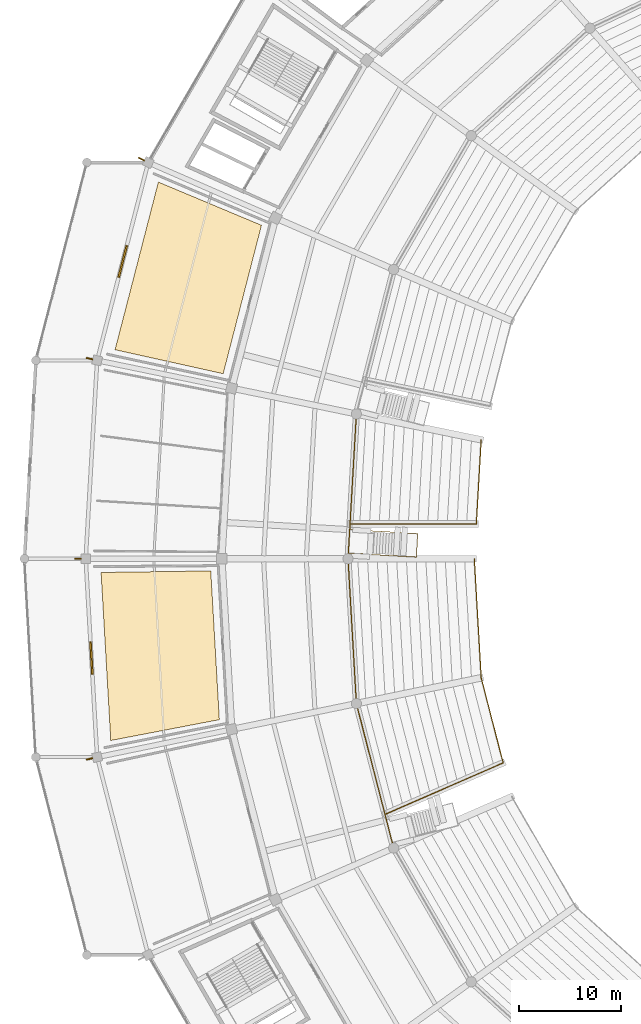
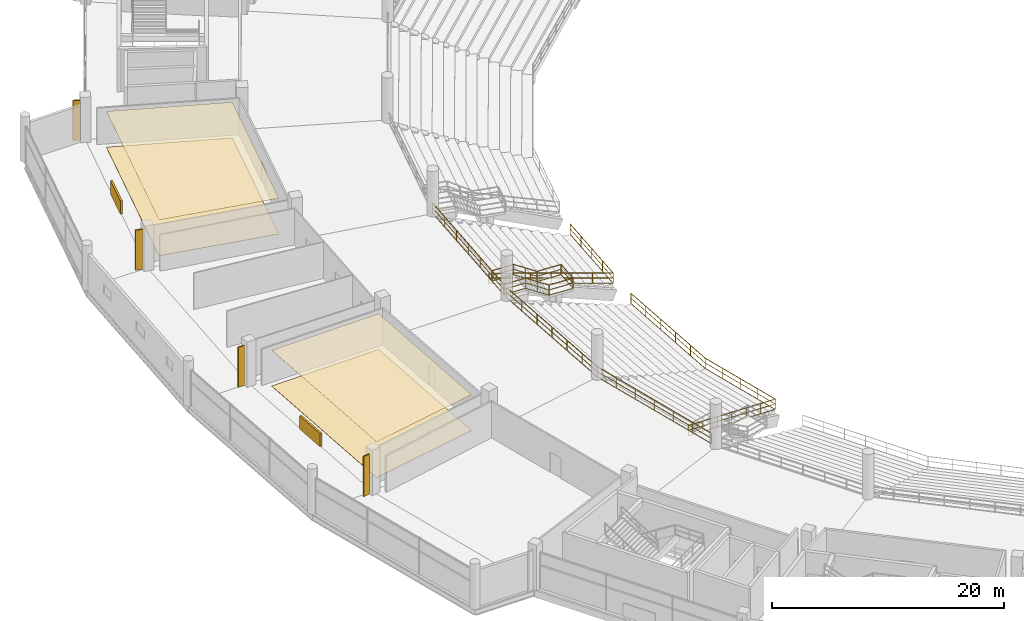
# One storey, part 146 of 156: 9 railings, 6 shading devices, 4 coverings.
"""IFC4 building model written with IfcOpenShell, lengths in metres."""

import ifcopenshell
import ifcopenshell.guid

model = None  # the IFC model being written
_history = None  # IfcOwnerHistory: only IFC2X3 demands one
_inside = {}  # id of a spatial element -> (the spatial element, [elements in it])
_under = {}  # id of a project, library or spatial element -> (it, [spatial elements below it])
_declared = {}  # id of a project -> (the project, [libraries it declares])
_typed = {}  # id of a type object -> (the type object, [elements of that type])
_made_of = {}  # id of a material, layer set ... -> (it, [elements and type objects made of it])


def new_model(schema):
    """Start an empty IFC model of exactly this schema.

    Asked for "IFC4X3", IfcOpenShell would pick the latest addendum, in which some entities
    have other attributes; the version numbers below select the first issue.
    IFC2X3 requires an IfcOwnerHistory on every rooted entity: one is made here for all.
    """
    global model, _history
    if schema == "IFC4X3":
        model = ifcopenshell.file(schema_version=(4, 3, 0, 0))
    else:
        model = ifcopenshell.file(schema=schema)
    _inside.clear()
    _under.clear()
    _declared.clear()
    _typed.clear()
    _made_of.clear()
    _history = None
    if model.schema == "IFC2X3":
        org = make("IfcOrganization", Name="unknown")
        user = make(
            "IfcPersonAndOrganization",
            ThePerson=make("IfcPerson", FamilyName="unknown"),
            TheOrganization=org,
        )
        app = make(
            "IfcApplication",
            ApplicationDeveloper=org,
            Version="unknown",
            ApplicationFullName="unknown",
            ApplicationIdentifier="unknown",
        )
        _history = make(
            "IfcOwnerHistory",
            OwningUser=user,
            OwningApplication=app,
            ChangeAction="ADDED",
            CreationDate=0,
        )
    return model


def make(cls, **values):
    """One entity of the class cls with the attributes given. An attribute that is None is left unset."""
    return model.create_entity(
        cls, **{name: value for name, value in values.items() if value is not None}
    )


def rooted(cls, **values):
    """An entity with a GlobalId (a new one), such as an element, a storey or a relation."""
    return make(cls, GlobalId=ifcopenshell.guid.new(), OwnerHistory=_history, **values)


def si_unit(unit_type, name, prefix=None):
    """IfcSIUnit, for example si_unit("LENGTHUNIT", "METRE", prefix="MILLI")."""
    return make("IfcSIUnit", UnitType=unit_type, Prefix=prefix, Name=name)


def assignment(units):
    """IfcUnitAssignment: the units of a project."""
    return None if units is None else make("IfcUnitAssignment", Units=units)


def point(xyz):
    """IfcCartesianPoint."""
    return None if xyz is None else make("IfcCartesianPoint", Coordinates=xyz)


def direction(xyz):
    """IfcDirection."""
    return None if xyz is None else make("IfcDirection", DirectionRatios=xyz)


def frame(location, z_axis=None, x_axis=None):
    """IfcAxis2Placement3D, a coordinate frame: its origin and axes. An axis left out is left unset."""
    return make(
        "IfcAxis2Placement3D",
        Location=point(location),
        Axis=direction(z_axis),
        RefDirection=direction(x_axis),
    )


def frame_2d(location, x_axis=None):
    """IfcAxis2Placement2D, a coordinate frame in the plane: its origin and x axis."""
    return make(
        "IfcAxis2Placement2D", Location=point(location), RefDirection=direction(x_axis)
    )


def origin():
    """The frame at (0, 0, 0) with its axes left unset."""
    return frame((0.0, 0.0, 0.0))


def origin_2d():
    """The frame at (0, 0) in the plane with its x axis left unset."""
    return frame_2d((0.0, 0.0))


def place(relative_to, where):
    """IfcLocalPlacement: puts the frame where relative to a parent placement (None: the world)."""
    return make(
        "IfcLocalPlacement", PlacementRelTo=relative_to, RelativePlacement=where
    )


def context(
    kind, dimensions, precision=None, world=None, true_north=None, identifier=None
):
    """IfcGeometricRepresentationContext, for example the 3D "Model" context."""
    return make(
        "IfcGeometricRepresentationContext",
        ContextIdentifier=identifier,
        ContextType=kind,
        CoordinateSpaceDimension=dimensions,
        Precision=precision,
        WorldCoordinateSystem=world,
        TrueNorth=true_north,
    )


def subcontext(parent, identifier, kind, view, scale=None):
    """IfcGeometricRepresentationSubContext, for example "Body" below "Model"."""
    return make(
        "IfcGeometricRepresentationSubContext",
        ContextIdentifier=identifier,
        ContextType=kind,
        ParentContext=parent,
        TargetScale=scale,
        TargetView=view,
    )


def project(units=None, contexts=None):
    """IfcProject with its units and contexts."""
    return rooted(
        "IfcProject",
        Name="project",
        RepresentationContexts=contexts,
        UnitsInContext=assignment(units),
    )


def spatial(cls, under=None, at=None, **own):
    """A site, building, storey or space (cls), placed at a placement, below another one or the project."""
    s = rooted(cls, ObjectPlacement=at, **own)
    if under is not None:
        _under.setdefault(under.id(), (under, []))[1].append(s)
    return s


def polyline(points):
    """IfcPolyline through the points."""
    return make("IfcPolyline", Points=[point(p) for p in points])


def profile(cls, at=None, kind="AREA", **sizes):
    """A parametric profile (cls). Its sizes go by their IFC names, for example OverallWidth=200.0."""
    return make(cls, ProfileType=kind, Position=at, **sizes)


def rectangle(**sizes):
    """IfcRectangleProfileDef."""
    return profile("IfcRectangleProfileDef", **sizes)


def outline(outer, holes=None, kind="AREA"):
    """IfcArbitraryClosedProfileDef: a profile drawn as a closed curve; with holes, ...WithVoids."""
    if holes is None:
        return make("IfcArbitraryClosedProfileDef", ProfileType=kind, OuterCurve=outer)
    return make(
        "IfcArbitraryProfileDefWithVoids",
        ProfileType=kind,
        OuterCurve=outer,
        InnerCurves=holes,
    )


def extrude(swept, where, along, depth):
    """IfcExtrudedAreaSolid: the profile swept, set in the frame where, extruded along a direction by depth."""
    return make(
        "IfcExtrudedAreaSolid",
        SweptArea=swept,
        Position=where,
        ExtrudedDirection=direction(along),
        Depth=depth,
    )


def shape(context_of_items, identifier, shape_type, items):
    """IfcShapeRepresentation: the items that make up one representation, for example the "Body"."""
    return make(
        "IfcShapeRepresentation",
        ContextOfItems=context_of_items,
        RepresentationIdentifier=identifier,
        RepresentationType=shape_type,
        Items=items,
    )


def material(Name=None, Category=None):
    """IfcMaterial."""
    return make("IfcMaterial", Name=Name, Category=Category)


def layer(
    of_material, thickness, ventilated=None, Name=None, Category=None, Priority=None
):
    """IfcMaterialLayer: one layer of a wall or slab, of a material (None: an air gap)."""
    return make(
        "IfcMaterialLayer",
        Material=of_material,
        LayerThickness=thickness,
        IsVentilated=ventilated,
        Name=Name,
        Category=Category,
        Priority=Priority,
    )


def layer_set(layers, Name=None):
    """IfcMaterialLayerSet."""
    return make("IfcMaterialLayerSet", MaterialLayers=layers, LayerSetName=Name)


def made_of(thing, what):
    """Note that an element or type object is made of a material, layer set ...; save() writes the relation."""
    if what is not None:
        _made_of.setdefault(what.id(), (what, []))[1].append(thing)
    return thing


def type_object(cls, material=None, **own):
    """A type object (cls), such as IfcWallType, which elements share."""
    return made_of(rooted(cls, **own), material)


def element(
    cls,
    number,
    at=None,
    inside=None,
    cuts=None,
    type_object=None,
    material=None,
    context=None,
    identifier="Body",
    shape_type=None,
    held_by="IfcProductDefinitionShape",
    body=None,
    shapes=None,
    **own,
):
    """One element of the class cls, such as IfcWall. Its Tag is "e" and its number.

    at: its placement. inside: the storey or other place that contains it. cuts: it is an
    opening in that element (IfcRelVoidsElement). A single representation is given by context,
    identifier, shape_type and body (its items); several are given by shapes. held_by: the class
    of the entity that holds the representations. save() writes the other relations.
    """
    e = rooted(cls, Tag="e%d" % number, ObjectPlacement=at, **own)
    if body is not None:
        shapes = [shape(context, identifier, shape_type, body)]
    if shapes is not None:
        e.Representation = make(held_by, Representations=shapes)
    if inside is not None:
        _inside.setdefault(inside.id(), (inside, []))[1].append(e)
    if cuts is not None:
        rooted(
            "IfcRelVoidsElement", RelatingBuildingElement=cuts, RelatedOpeningElement=e
        )
    if type_object is not None:
        _typed.setdefault(type_object.id(), (type_object, []))[1].append(e)
    return made_of(e, material)


def aggregate(whole, parts):
    """IfcRelAggregates: a whole, such as a stair, and the parts it consists of."""
    return rooted("IfcRelAggregates", RelatingObject=whole, RelatedObjects=parts)


def save(model, path):
    """Write the relations noted so far, then the file.

    IfcRelAggregates (storeys below a building ...), IfcRelContainedInSpatialStructure (elements
    in a storey), IfcRelDefinesByType, IfcRelAssociatesMaterial and IfcRelDeclares: one each for
    every whole, place, type object, material and project.
    """
    for whole, parts in _under.values():
        aggregate(whole, parts)
    for where, things in _inside.values():
        rooted(
            "IfcRelContainedInSpatialStructure",
            RelatedElements=things,
            RelatingStructure=where,
        )
    for kind, things in _typed.values():
        rooted("IfcRelDefinesByType", RelatedObjects=things, RelatingType=kind)
    for what, things in _made_of.values():
        rooted("IfcRelAssociatesMaterial", RelatedObjects=things, RelatingMaterial=what)
    for by, libraries in _declared.values():
        rooted("IfcRelDeclares", RelatingContext=by, RelatedDefinitions=libraries)
    model.write(path)


model = new_model("IFC4")

# Units and contexts
model_context = context("Model", 3, precision=1e-05, world=origin(), true_north=direction((0.0, 1.0)))
body_context = subcontext(model_context, "Body", "Model", "MODEL_VIEW")
ifc_project = project(units=[si_unit("LENGTHUNIT", "METRE"), si_unit("AREAUNIT", "SQUARE_METRE"), si_unit("VOLUMEUNIT", "CUBIC_METRE"), si_unit("PLANEANGLEUNIT", "RADIAN"), si_unit("MASSUNIT", "GRAM", prefix="KILO")], contexts=[model_context])

# Site, building, storey
site_placement = place(None, origin())
site = spatial("IfcSite", under=ifc_project, at=site_placement, CompositionType="ELEMENT")
building_placement = place(site_placement, origin())
building = spatial("IfcBuilding", under=site, at=building_placement, Name="Kazemori Nagisa Stadium", CompositionType="ELEMENT")
storey_placement = place(building_placement, frame((0.0, 0.0, 5.780029296875)))
storey = spatial("IfcBuildingStorey", under=building, at=storey_placement, Name="L01", CompositionType="ELEMENT", Elevation=5.780029296875)

# Coverings
ifc_material_1 = material(Name="Mineral-fibre acoustic board", Category="gypsum")
ifc_layer_1 = layer(ifc_material_1, 0.02001953125, Name="Mineral-fibre acoustic board", Category="gypsum")
ifc_layer_set_1 = layer_set([ifc_layer_1], Name="Mineral-fibre acoustic board")
covering_type_1 = type_object("IfcCoveringType", Name="Cov_CEIL", PredefinedType="CEILING", material=ifc_layer_set_1)
covering_1_placement = place(storey_placement, frame((0.0, 0.0, 3.77001953125)))
element("IfcCovering", 1, at=covering_1_placement, inside=storey, type_object=covering_type_1, Name="Acoustic ceiling L01-B13", PredefinedType="CEILING", context=body_context, shape_type="SweptSolid", body=[
    extrude(outline(polyline([(45.1875, 134.6083984375), (41.44091796875, 120.095947265625), (30.871826171875, 122.44091796875), (35.103759765625, 138.833984375), (45.1875, 134.6083984375)])), origin(), (0.0, 0.0, 1.0), 0.02001953125),
])
covering_2_placement = place(storey_placement, frame((0.0, 0.0, 3.77001953125)))
element("IfcCovering", 2, at=covering_2_placement, inside=storey, type_object=covering_type_1, Name="Acoustic ceiling L01-B15", PredefinedType="CEILING", context=body_context, shape_type="SweptSolid", body=[
    extrude(outline(polyline([(40.228271484375, 100.81591796875), (41.067626953125, 86.269287109375), (30.4501953125, 84.230712890625), (29.502197265625, 100.66259765625), (40.228271484375, 100.81591796875)])), origin(), (0.0, 0.0, 1.0), 0.02001953125),
])
ifc_material_2 = material(Name="Porcelain stoneware tile", Category="masonry")
ifc_layer_2 = layer(ifc_material_2, 0.02490234375, Name="Porcelain stoneware tile", Category="masonry")
ifc_layer_set_2 = layer_set([ifc_layer_2], Name="Porcelain stoneware tile")
covering_type_2 = type_object("IfcCoveringType", Name="Cov_FLOOR", PredefinedType="FLOORING", material=ifc_layer_set_2)
covering_3_placement = place(storey_placement, origin())
element("IfcCovering", 3, at=covering_3_placement, inside=storey, type_object=covering_type_2, Name="Porcelain floor finish L01-B13", PredefinedType="FLOORING", context=body_context, shape_type="SweptSolid", body=[
    extrude(outline(polyline([(45.1875, 134.6083984375), (41.44091796875, 120.095947265625), (30.871826171875, 122.44091796875), (35.103759765625, 138.833984375), (45.1875, 134.6083984375)])), origin(), (0.0, 0.0, 1.0), 0.02490234375),
])
covering_4_placement = place(storey_placement, origin())
element("IfcCovering", 4, at=covering_4_placement, inside=storey, type_object=covering_type_2, Name="Porcelain floor finish L01-B15", PredefinedType="FLOORING", context=body_context, shape_type="SweptSolid", body=[
    extrude(outline(polyline([(40.228271484375, 100.81591796875), (41.067626953125, 86.269287109375), (30.4501953125, 84.230712890625), (29.502197265625, 100.66259765625), (40.228271484375, 100.81591796875)])), origin(), (0.0, 0.0, 1.0), 0.02490234375),
])

# Shading devices
ifc_material_3 = material(Name="Aluminium 6063-T5 anodised", Category="aluminium")
shading_device_type_1 = type_object("IfcShadingDeviceType", Name="Fin_FN01", PredefinedType="USERDEFINED", material=ifc_material_3)
for number, where, z_axis, x_axis, name in (
    (5, (33.434814453125, 141.0771484375, 0.0), (0.0, 0.0, 1.0), (-0.900968867905, 0.433883739113, 0.0), "Aerodynamic wave shading fin L01-13"),
    (6, (28.383056640625, 121.565673828125, 0.0), (0.0, 0.0, 1.0), (-0.974927912182, 0.222520933954, 0.0), "Aerodynamic wave shading fin L01-14"),
    (7, (27.2451171875, 102.0, 0.0), (0.0, 0.0, 1.0), (-1.0, 0.0, 0.0), "Aerodynamic wave shading fin L01-15"),
    (8, (28.383056640625, 82.434326171875, 0.0), (0.0, 0.0, 1.0), (-0.974927912182, -0.222520933954, 0.0), "Aerodynamic wave shading fin L01-16"),
):
    element("IfcShadingDevice", number, at=place(storey_placement, frame(where, z_axis=z_axis, x_axis=x_axis)), inside=storey, type_object=shading_device_type_1, Name=name, ObjectType="FIN", PredefinedType="USERDEFINED", context=body_context, shape_type="SweptSolid", body=[
        extrude(rectangle(XDim=0.64990234375, YDim=0.1201171875, at=origin_2d()), origin(), (0.0, 0.0, 1.0), 4.199951171875),
    ])
shading_device_type_2 = type_object("IfcShadingDeviceType", Name="Louvre_LV01", PredefinedType="JALOUSIE", material=ifc_material_3)
for number, where, z_axis, x_axis, name in (
    (9, (31.6171875, 131.07373046875, -0.010009765625), (0.0, 0.0, 1.0), (-0.249964642418, -0.968254965152, 0.0), "Concourse ventilation louvre L01-B13"),
    (10, (28.5595703125, 92.30126953125, -0.010009765625), (0.0, 0.0, 1.0), (0.057601670941, -0.998339645364, 0.0), "Concourse ventilation louvre L01-B15"),
):
    element("IfcShadingDevice", number, at=place(storey_placement, frame(where, z_axis=z_axis, x_axis=x_axis)), inside=storey, type_object=shading_device_type_2, Name=name, PredefinedType="JALOUSIE", context=body_context, shape_type="SweptSolid", body=[
        extrude(rectangle(XDim=3.199951171875, YDim=0.179931640625, at=origin_2d()), origin(), (0.0, 0.0, 1.0), 1.39990234375),
    ])

# Railings
ifc_material_4 = material(Name="Laminated safety glass and stainless steel SUS304", Category="steel")
railing_type_1 = type_object("IfcRailingType", Name="Rail_BAL", PredefinedType="BALUSTRADE", material=ifc_material_4)
railing_1_placement = place(storey_placement, frame((54.467041015625, 116.160400390625, 0.0)))
element("IfcRailing", 11, at=railing_1_placement, inside=storey, type_object=railing_type_1, Name="Concourse bowl balustrade L01-B14", PredefinedType="BALUSTRADE", context=body_context, shape_type="SweptSolid", body=[
    extrude(rectangle(XDim=0.050048828125, YDim=0.050048828125, at=origin_2d()), frame((0.0, 0.0, 1.09521484375), z_axis=(-0.057606145226, -0.998339387199, 0.0), x_axis=(0.998339387199, -0.057606145226, 0.0)), (0.0, 0.0, 1.0), 13.634033203125),
    extrude(rectangle(XDim=0.03759765625, YDim=0.03759765625, at=origin_2d()), frame((0.0, 0.0, 0.58251953125), z_axis=(-0.057606145226, -0.998339387199, 0.0), x_axis=(0.998339387199, -0.057606145226, 0.0)), (0.0, 0.0, 1.0), 13.634033203125),
    extrude(rectangle(XDim=0.03759765625, YDim=0.03759765625, at=origin_2d()), frame((0.0, 0.0, 0.02490234375), z_axis=(-0.057606145226, -0.998339387199, 0.0), x_axis=(0.998339387199, -0.057606145226, 0.0)), (0.0, 0.0, 1.0), 13.634033203125),
    extrude(rectangle(XDim=0.044921875, YDim=0.044921875, at=origin_2d()), origin(), (0.0, 0.0, 1.0), 1.070068359375),
    extrude(rectangle(XDim=0.044921875, YDim=0.044921875, at=origin_2d()), frame((-0.130859375, -2.2685546875, 0.0)), (0.0, 0.0, 1.0), 1.070068359375),
    extrude(rectangle(XDim=0.044921875, YDim=0.044921875, at=origin_2d()), frame((-0.26171875, -4.537109375, 0.0)), (0.0, 0.0, 1.0), 1.070068359375),
    extrude(rectangle(XDim=0.044921875, YDim=0.044921875, at=origin_2d()), frame((-0.392578125, -6.8056640625, 0.0)), (0.0, 0.0, 1.0), 1.070068359375),
    extrude(rectangle(XDim=0.044921875, YDim=0.044921875, at=origin_2d()), frame((-0.523681640625, -9.07421875, 0.0)), (0.0, 0.0, 1.0), 1.070068359375),
    extrude(rectangle(XDim=0.044921875, YDim=0.044921875, at=origin_2d()), frame((-0.654541015625, -11.3427734375, 0.0)), (0.0, 0.0, 1.0), 1.070068359375),
    extrude(rectangle(XDim=0.044921875, YDim=0.044921875, at=origin_2d()), frame((-0.785400390625, -13.611328125, 0.0)), (0.0, 0.0, 1.0), 1.070068359375),
])
railing_2_placement = place(storey_placement, frame((53.64990234375, 102.0, 0.0)))
element("IfcRailing", 12, at=railing_2_placement, inside=storey, type_object=railing_type_1, Name="Concourse bowl balustrade L01-B15", PredefinedType="BALUSTRADE", context=body_context, shape_type="SweptSolid", body=[
    extrude(rectangle(XDim=0.050048828125, YDim=0.050048828125, at=origin_2d()), frame((0.0, 0.0, 1.09521484375), z_axis=(0.057610061423, -0.998339161219, 0.0), x_axis=(0.998339161219, 0.057610061423, 0.0)), (0.0, 0.0, 1.0), 14.183837890625),
    extrude(rectangle(XDim=0.03759765625, YDim=0.03759765625, at=origin_2d()), frame((0.0, 0.0, 0.58251953125), z_axis=(0.057610061423, -0.998339161219, 0.0), x_axis=(0.998339161219, 0.057610061423, 0.0)), (0.0, 0.0, 1.0), 14.183837890625),
    extrude(rectangle(XDim=0.03759765625, YDim=0.03759765625, at=origin_2d()), frame((0.0, 0.0, 0.02490234375), z_axis=(0.057610061423, -0.998339161219, 0.0), x_axis=(0.998339161219, 0.057610061423, 0.0)), (0.0, 0.0, 1.0), 14.183837890625),
    extrude(rectangle(XDim=0.044921875, YDim=0.044921875, at=origin_2d()), origin(), (0.0, 0.0, 1.0), 1.070068359375),
    extrude(rectangle(XDim=0.044921875, YDim=0.044921875, at=origin_2d()), frame((0.13623046875, -2.360107421875, 0.0)), (0.0, 0.0, 1.0), 1.070068359375),
    extrude(rectangle(XDim=0.044921875, YDim=0.044921875, at=origin_2d()), frame((0.2724609375, -4.72021484375, 0.0)), (0.0, 0.0, 1.0), 1.070068359375),
    extrude(rectangle(XDim=0.044921875, YDim=0.044921875, at=origin_2d()), frame((0.40869140625, -7.080078125, 0.0)), (0.0, 0.0, 1.0), 1.070068359375),
    extrude(rectangle(XDim=0.044921875, YDim=0.044921875, at=origin_2d()), frame((0.544677734375, -9.440185546875, 0.0)), (0.0, 0.0, 1.0), 1.070068359375),
    extrude(rectangle(XDim=0.044921875, YDim=0.044921875, at=origin_2d()), frame((0.680908203125, -11.80029296875, 0.0)), (0.0, 0.0, 1.0), 1.070068359375),
    extrude(rectangle(XDim=0.044921875, YDim=0.044921875, at=origin_2d()), frame((0.817138671875, -14.160400390625, 0.0)), (0.0, 0.0, 1.0), 1.070068359375),
])
railing_3_placement = place(storey_placement, frame((54.467041015625, 87.839599609375, 0.0)))
element("IfcRailing", 13, at=railing_3_placement, inside=storey, type_object=railing_type_1, Name="Concourse bowl balustrade L01-B16", PredefinedType="BALUSTRADE", context=body_context, shape_type="SweptSolid", body=[
    extrude(rectangle(XDim=0.050048828125, YDim=0.050048828125, at=origin_2d()), frame((0.0, 0.0, 1.09521484375), z_axis=(0.249966896973, -0.968254383113, 0.0), x_axis=(0.968254383113, 0.249966896973, 0.0)), (0.0, 0.0, 1.0), 14.0400390625),
    extrude(rectangle(XDim=0.03759765625, YDim=0.03759765625, at=origin_2d()), frame((0.0, 0.0, 0.58251953125), z_axis=(0.249966896973, -0.968254383113, 0.0), x_axis=(0.968254383113, 0.249966896973, 0.0)), (0.0, 0.0, 1.0), 14.0400390625),
    extrude(rectangle(XDim=0.03759765625, YDim=0.03759765625, at=origin_2d()), frame((0.0, 0.0, 0.02490234375), z_axis=(0.249966896973, -0.968254383113, 0.0), x_axis=(0.968254383113, 0.249966896973, 0.0)), (0.0, 0.0, 1.0), 14.0400390625),
    extrude(rectangle(XDim=0.044921875, YDim=0.044921875, at=origin_2d()), origin(), (0.0, 0.0, 1.0), 1.070068359375),
    extrude(rectangle(XDim=0.044921875, YDim=0.044921875, at=origin_2d()), frame((0.5849609375, -2.265625, 0.0)), (0.0, 0.0, 1.0), 1.070068359375),
    extrude(rectangle(XDim=0.044921875, YDim=0.044921875, at=origin_2d()), frame((1.169921875, -4.531494140625, 0.0)), (0.0, 0.0, 1.0), 1.070068359375),
    extrude(rectangle(XDim=0.044921875, YDim=0.044921875, at=origin_2d()), frame((1.7548828125, -6.797119140625, 0.0)), (0.0, 0.0, 1.0), 1.070068359375),
    extrude(rectangle(XDim=0.044921875, YDim=0.044921875, at=origin_2d()), frame((2.339599609375, -9.062744140625, 0.0)), (0.0, 0.0, 1.0), 1.070068359375),
    extrude(rectangle(XDim=0.044921875, YDim=0.044921875, at=origin_2d()), frame((2.924560546875, -11.32861328125, 0.0)), (0.0, 0.0, 1.0), 1.070068359375),
    extrude(rectangle(XDim=0.044921875, YDim=0.044921875, at=origin_2d()), frame((3.509521484375, -13.59423828125, 0.0)), (0.0, 0.0, 1.0), 1.070068359375),
])
ifc_material_5 = material(Name="Galvanised powder-coated steel", Category="steel")
railing_type_2 = type_object("IfcRailingType", Name="Rail_GUARD", PredefinedType="GUARDRAIL", material=ifc_material_5)
railing_4_placement = place(storey_placement, frame((53.681640625, 102.549072265625, 0.0)))
element("IfcRailing", 14, at=railing_4_placement, inside=storey, type_object=railing_type_2, Name="Vomitory stair guard VL06", PredefinedType="GUARDRAIL", context=body_context, shape_type="SweptSolid", body=[
    extrude(rectangle(XDim=0.050048828125, YDim=0.050048828125, at=origin_2d()), frame((0.0, 0.0, 1.09521484375), z_axis=(0.998342640362, -0.057549738789, 0.0), x_axis=(0.057549738789, 0.998342640362, 0.0)), (0.0, 0.0, 1.0), 2.099853515625),
    extrude(rectangle(XDim=0.03759765625, YDim=0.03759765625, at=origin_2d()), frame((0.0, 0.0, 0.58251953125), z_axis=(0.998342640362, -0.057549738789, 0.0), x_axis=(0.057549738789, 0.998342640362, 0.0)), (0.0, 0.0, 1.0), 2.099853515625),
    extrude(rectangle(XDim=0.03759765625, YDim=0.03759765625, at=origin_2d()), frame((0.0, 0.0, 0.02490234375), z_axis=(0.998342640362, -0.057549738789, 0.0), x_axis=(0.057549738789, 0.998342640362, 0.0)), (0.0, 0.0, 1.0), 2.099853515625),
    extrude(rectangle(XDim=0.050048828125, YDim=0.050048828125, at=origin_2d()), frame((2.096435546875, -0.120849609375, 1.09521484375), z_axis=(0.840890420226, -0.048528726567, -0.539025290566), x_axis=(0.057615252206, 0.998338861666, 0.0)), (0.0, 0.0, 1.0), 2.67138671875),
    extrude(rectangle(XDim=0.03759765625, YDim=0.03759765625, at=origin_2d()), frame((2.096435546875, -0.120849609375, 0.58251953125), z_axis=(0.840890420226, -0.048528726567, -0.539025290566), x_axis=(0.057615252206, 0.998338861666, 0.0)), (0.0, 0.0, 1.0), 2.67138671875),
    extrude(rectangle(XDim=0.03759765625, YDim=0.03759765625, at=origin_2d()), frame((2.096435546875, -0.120849609375, 0.02490234375), z_axis=(0.840890420226, -0.048528726567, -0.539025290566), x_axis=(0.057615252206, 0.998338861666, 0.0)), (0.0, 0.0, 1.0), 2.67138671875),
    extrude(rectangle(XDim=0.050048828125, YDim=0.050048828125, at=origin_2d()), frame((4.3427734375, -0.25048828125, -0.3447265625), z_axis=(0.998335866434, -0.057667129209, 0.0), x_axis=(0.057667129209, 0.998335866434, 0.0)), (0.0, 0.0, 1.0), 2.320068359375),
    extrude(rectangle(XDim=0.03759765625, YDim=0.03759765625, at=origin_2d()), frame((4.3427734375, -0.25048828125, -0.857421875), z_axis=(0.998335866434, -0.057667129209, 0.0), x_axis=(0.057667129209, 0.998335866434, 0.0)), (0.0, 0.0, 1.0), 2.320068359375),
    extrude(rectangle(XDim=0.03759765625, YDim=0.03759765625, at=origin_2d()), frame((4.3427734375, -0.25048828125, -1.4150390625), z_axis=(0.998335866434, -0.057667129209, 0.0), x_axis=(0.057667129209, 0.998335866434, 0.0)), (0.0, 0.0, 1.0), 2.320068359375),
    extrude(rectangle(XDim=0.050048828125, YDim=0.050048828125, at=origin_2d()), frame((6.658935546875, -0.38427734375, -0.3447265625), z_axis=(0.057633153394, 0.998337828408, 0.0), x_axis=(-0.998337828408, 0.057633153394, 0.0)), (0.0, 0.0, 1.0), 2.30029296875),
    extrude(rectangle(XDim=0.03759765625, YDim=0.03759765625, at=origin_2d()), frame((6.658935546875, -0.38427734375, -0.857421875), z_axis=(0.057633153394, 0.998337828408, 0.0), x_axis=(-0.998337828408, 0.057633153394, 0.0)), (0.0, 0.0, 1.0), 2.30029296875),
    extrude(rectangle(XDim=0.03759765625, YDim=0.03759765625, at=origin_2d()), frame((6.658935546875, -0.38427734375, -1.4150390625), z_axis=(0.057633153394, 0.998337828408, 0.0), x_axis=(-0.998337828408, 0.057633153394, 0.0)), (0.0, 0.0, 1.0), 2.30029296875),
    extrude(rectangle(XDim=0.050048828125, YDim=0.050048828125, at=origin_2d()), frame((6.79150390625, 1.912109375, -0.3447265625), z_axis=(-0.998341919289, 0.057562246216, 0.0), x_axis=(-0.057562246216, -0.998341919289, 0.0)), (0.0, 0.0, 1.0), 2.320068359375),
    extrude(rectangle(XDim=0.03759765625, YDim=0.03759765625, at=origin_2d()), frame((6.79150390625, 1.912109375, -0.857421875), z_axis=(-0.998341919289, 0.057562246216, 0.0), x_axis=(-0.057562246216, -0.998341919289, 0.0)), (0.0, 0.0, 1.0), 2.320068359375),
    extrude(rectangle(XDim=0.03759765625, YDim=0.03759765625, at=origin_2d()), frame((6.79150390625, 1.912109375, -1.4150390625), z_axis=(-0.998341919289, 0.057562246216, 0.0), x_axis=(-0.057562246216, -0.998341919289, 0.0)), (0.0, 0.0, 1.0), 2.320068359375),
    extrude(rectangle(XDim=0.050048828125, YDim=0.050048828125, at=origin_2d()), frame((4.475341796875, 2.045654296875, -0.3447265625), z_axis=(-0.840890420226, 0.048528726567, 0.539025290566), x_axis=(-0.057615252206, -0.998338861666, 0.0)), (0.0, 0.0, 1.0), 2.67138671875),
    extrude(rectangle(XDim=0.03759765625, YDim=0.03759765625, at=origin_2d()), frame((4.475341796875, 2.045654296875, -0.857421875), z_axis=(-0.840890420226, 0.048528726567, 0.539025290566), x_axis=(-0.057615252206, -0.998338861666, 0.0)), (0.0, 0.0, 1.0), 2.67138671875),
    extrude(rectangle(XDim=0.03759765625, YDim=0.03759765625, at=origin_2d()), frame((4.475341796875, 2.045654296875, -1.4150390625), z_axis=(-0.840890420226, 0.048528726567, 0.539025290566), x_axis=(-0.057615252206, -0.998338861666, 0.0)), (0.0, 0.0, 1.0), 2.67138671875),
    extrude(rectangle(XDim=0.050048828125, YDim=0.050048828125, at=origin_2d()), frame((2.22900390625, 2.17529296875, 1.09521484375), z_axis=(-0.998342640362, 0.057549738789, 0.0), x_axis=(-0.057549738789, -0.998342640362, 0.0)), (0.0, 0.0, 1.0), 2.099853515625),
    extrude(rectangle(XDim=0.03759765625, YDim=0.03759765625, at=origin_2d()), frame((2.22900390625, 2.17529296875, 0.58251953125), z_axis=(-0.998342640362, 0.057549738789, 0.0), x_axis=(-0.057549738789, -0.998342640362, 0.0)), (0.0, 0.0, 1.0), 2.099853515625),
    extrude(rectangle(XDim=0.03759765625, YDim=0.03759765625, at=origin_2d()), frame((2.22900390625, 2.17529296875, 0.02490234375), z_axis=(-0.998342640362, 0.057549738789, 0.0), x_axis=(-0.057549738789, -0.998342640362, 0.0)), (0.0, 0.0, 1.0), 2.099853515625),
    extrude(rectangle(XDim=0.044921875, YDim=0.044921875, at=origin_2d()), origin(), (0.0, 0.0, 1.0), 1.070068359375),
    extrude(rectangle(XDim=0.044921875, YDim=0.044921875, at=origin_2d()), frame((2.096435546875, -0.120849609375, 0.0)), (0.0, 0.0, 1.0), 1.070068359375),
    extrude(rectangle(XDim=0.044921875, YDim=0.044921875, at=origin_2d()), frame((3.2197265625, -0.185546875, -0.719970703125)), (0.0, 0.0, 1.0), 1.070068359375),
    extrude(rectangle(XDim=0.044921875, YDim=0.044921875, at=origin_2d()), frame((4.3427734375, -0.25048828125, -1.43994140625)), (0.0, 0.0, 1.0), 1.070068359375),
    extrude(rectangle(XDim=0.044921875, YDim=0.044921875, at=origin_2d()), frame((6.658935546875, -0.38427734375, -1.43994140625)), (0.0, 0.0, 1.0), 1.070068359375),
    extrude(rectangle(XDim=0.044921875, YDim=0.044921875, at=origin_2d()), frame((6.79150390625, 1.912109375, -1.43994140625)), (0.0, 0.0, 1.0), 1.070068359375),
    extrude(rectangle(XDim=0.044921875, YDim=0.044921875, at=origin_2d()), frame((4.475341796875, 2.045654296875, -1.43994140625)), (0.0, 0.0, 1.0), 1.070068359375),
    extrude(rectangle(XDim=0.044921875, YDim=0.044921875, at=origin_2d()), frame((3.35205078125, 2.1103515625, -0.719970703125)), (0.0, 0.0, 1.0), 1.070068359375),
    extrude(rectangle(XDim=0.044921875, YDim=0.044921875, at=origin_2d()), frame((2.22900390625, 2.17529296875, 0.0)), (0.0, 0.0, 1.0), 1.070068359375),
    extrude(rectangle(XDim=0.044921875, YDim=0.044921875, at=origin_2d()), frame((0.132568359375, 2.296142578125, 0.0)), (0.0, 0.0, 1.0), 1.070068359375),
])
railing_5_placement = place(storey_placement, frame((66.671630859375, 113.638671875, -4.919921875)))
element("IfcRailing", 15, at=railing_5_placement, inside=storey, type_object=railing_type_2, Name="Lower tier pitch-side crowd barrier B14", PredefinedType="GUARDRAIL", context=body_context, shape_type="SweptSolid", body=[
    extrude(rectangle(XDim=0.050048828125, YDim=0.050048828125, at=origin_2d()), frame((0.0, 0.0, 1.09521484375), z_axis=(-0.057619767641, -0.998338601065, 0.0), x_axis=(0.998338601065, -0.057619767641, 0.0)), (0.0, 0.0, 1.0), 8.258056640625),
    extrude(rectangle(XDim=0.03759765625, YDim=0.03759765625, at=origin_2d()), frame((0.0, 0.0, 0.58251953125), z_axis=(-0.057619767641, -0.998338601065, 0.0), x_axis=(0.998338601065, -0.057619767641, 0.0)), (0.0, 0.0, 1.0), 8.258056640625),
    extrude(rectangle(XDim=0.03759765625, YDim=0.03759765625, at=origin_2d()), frame((0.0, 0.0, 0.02490234375), z_axis=(-0.057619767641, -0.998338601065, 0.0), x_axis=(0.998338601065, -0.057619767641, 0.0)), (0.0, 0.0, 1.0), 8.258056640625),
    extrude(rectangle(XDim=0.044921875, YDim=0.044921875, at=origin_2d()), origin(), (0.0, 0.0, 1.0), 1.070068359375),
    extrude(rectangle(XDim=0.044921875, YDim=0.044921875, at=origin_2d()), frame((-0.118896484375, -2.06103515625, 0.0)), (0.0, 0.0, 1.0), 1.070068359375),
    extrude(rectangle(XDim=0.044921875, YDim=0.044921875, at=origin_2d()), frame((-0.23779296875, -4.1220703125, 0.0)), (0.0, 0.0, 1.0), 1.070068359375),
    extrude(rectangle(XDim=0.044921875, YDim=0.044921875, at=origin_2d()), frame((-0.35693359375, -6.183349609375, 0.0)), (0.0, 0.0, 1.0), 1.070068359375),
    extrude(rectangle(XDim=0.044921875, YDim=0.044921875, at=origin_2d()), frame((-0.475830078125, -8.244384765625, 0.0)), (0.0, 0.0, 1.0), 1.070068359375),
])
railing_6_placement = place(storey_placement, frame((66.19580078125, 105.394287109375, -4.919921875)))
element("IfcRailing", 16, at=railing_6_placement, inside=storey, type_object=railing_type_2, Name="Lower tier vomitory aisle guard B14", PredefinedType="GUARDRAIL", context=body_context, shape_type="SweptSolid", body=[
    extrude(rectangle(XDim=0.050048828125, YDim=0.050048828125, at=origin_2d()), frame((0.0, 0.0, 1.09521484375), z_axis=(-0.943920886091, 0.0, 0.330171714115), x_axis=(0.0, -1.0, 0.0)), (0.0, 0.0, 1.0), 13.08349609375),
    extrude(rectangle(XDim=0.03759765625, YDim=0.03759765625, at=origin_2d()), frame((0.0, 0.0, 0.58251953125), z_axis=(-0.943920886091, 0.0, 0.330171714115), x_axis=(0.0, -1.0, 0.0)), (0.0, 0.0, 1.0), 13.08349609375),
    extrude(rectangle(XDim=0.03759765625, YDim=0.03759765625, at=origin_2d()), frame((0.0, 0.0, 0.02490234375), z_axis=(-0.943920886091, 0.0, 0.330171714115), x_axis=(0.0, -1.0, 0.0)), (0.0, 0.0, 1.0), 13.08349609375),
    extrude(rectangle(XDim=0.044921875, YDim=0.044921875, at=origin_2d()), origin(), (0.0, 0.0, 1.0), 1.070068359375),
    extrude(rectangle(XDim=0.044921875, YDim=0.044921875, at=origin_2d()), frame((-2.058349609375, 0.0, 0.719970703125)), (0.0, 0.0, 1.0), 1.070068359375),
    extrude(rectangle(XDim=0.044921875, YDim=0.044921875, at=origin_2d()), frame((-4.11669921875, 0.0, 1.43994140625)), (0.0, 0.0, 1.0), 1.070068359375),
    extrude(rectangle(XDim=0.044921875, YDim=0.044921875, at=origin_2d()), frame((-6.1748046875, 0.0, 2.159912109375)), (0.0, 0.0, 1.0), 1.070068359375),
    extrude(rectangle(XDim=0.044921875, YDim=0.044921875, at=origin_2d()), frame((-8.233154296875, 0.0, 2.8798828125)), (0.0, 0.0, 1.0), 1.070068359375),
    extrude(rectangle(XDim=0.044921875, YDim=0.044921875, at=origin_2d()), frame((-10.29150390625, 0.0, 3.599853515625)), (0.0, 0.0, 1.0), 1.070068359375),
    extrude(rectangle(XDim=0.044921875, YDim=0.044921875, at=origin_2d()), frame((-12.349853515625, 0.0, 4.31982421875)), (0.0, 0.0, 1.0), 1.070068359375),
])
railing_7_placement = place(storey_placement, frame((66.0, 102.0, -4.919921875)))
element("IfcRailing", 17, at=railing_7_placement, inside=storey, type_object=railing_type_2, Name="Lower tier pitch-side crowd barrier B15", PredefinedType="GUARDRAIL", context=body_context, shape_type="SweptSolid", body=[
    extrude(rectangle(XDim=0.050048828125, YDim=0.050048828125, at=origin_2d()), frame((0.0, 0.0, 1.09521484375), z_axis=(0.057610985188, -0.998339107912, 0.0), x_axis=(0.998339107912, 0.057610985188, 0.0)), (0.0, 0.0, 1.0), 11.657958984375),
    extrude(rectangle(XDim=0.03759765625, YDim=0.03759765625, at=origin_2d()), frame((0.0, 0.0, 0.58251953125), z_axis=(0.057610985188, -0.998339107912, 0.0), x_axis=(0.998339107912, 0.057610985188, 0.0)), (0.0, 0.0, 1.0), 11.657958984375),
    extrude(rectangle(XDim=0.03759765625, YDim=0.03759765625, at=origin_2d()), frame((0.0, 0.0, 0.02490234375), z_axis=(0.057610985188, -0.998339107912, 0.0), x_axis=(0.998339107912, 0.057610985188, 0.0)), (0.0, 0.0, 1.0), 11.657958984375),
    extrude(rectangle(XDim=0.044921875, YDim=0.044921875, at=origin_2d()), origin(), (0.0, 0.0, 1.0), 1.070068359375),
    extrude(rectangle(XDim=0.044921875, YDim=0.044921875, at=origin_2d()), frame((0.13427734375, -2.32763671875, 0.0)), (0.0, 0.0, 1.0), 1.070068359375),
    extrude(rectangle(XDim=0.044921875, YDim=0.044921875, at=origin_2d()), frame((0.2685546875, -4.655517578125, 0.0)), (0.0, 0.0, 1.0), 1.070068359375),
    extrude(rectangle(XDim=0.044921875, YDim=0.044921875, at=origin_2d()), frame((0.403076171875, -6.983154296875, 0.0)), (0.0, 0.0, 1.0), 1.070068359375),
    extrude(rectangle(XDim=0.044921875, YDim=0.044921875, at=origin_2d()), frame((0.537353515625, -9.31103515625, 0.0)), (0.0, 0.0, 1.0), 1.070068359375),
    extrude(rectangle(XDim=0.044921875, YDim=0.044921875, at=origin_2d()), frame((0.671630859375, -11.638671875, 0.0)), (0.0, 0.0, 1.0), 1.070068359375),
])
railing_8_placement = place(storey_placement, frame((66.671630859375, 90.361328125, -4.919921875)))
element("IfcRailing", 18, at=railing_8_placement, inside=storey, type_object=railing_type_2, Name="Lower tier pitch-side crowd barrier B16", PredefinedType="GUARDRAIL", context=body_context, shape_type="SweptSolid", body=[
    extrude(rectangle(XDim=0.050048828125, YDim=0.050048828125, at=origin_2d()), frame((0.0, 0.0, 1.09521484375), z_axis=(0.249943332675, -0.968260466223, 0.0), x_axis=(0.968260466223, 0.249943332675, 0.0)), (0.0, 0.0, 1.0), 8.591796875),
    extrude(rectangle(XDim=0.03759765625, YDim=0.03759765625, at=origin_2d()), frame((0.0, 0.0, 0.58251953125), z_axis=(0.249943332675, -0.968260466223, 0.0), x_axis=(0.968260466223, 0.249943332675, 0.0)), (0.0, 0.0, 1.0), 8.591796875),
    extrude(rectangle(XDim=0.03759765625, YDim=0.03759765625, at=origin_2d()), frame((0.0, 0.0, 0.02490234375), z_axis=(0.249943332675, -0.968260466223, 0.0), x_axis=(0.968260466223, 0.249943332675, 0.0)), (0.0, 0.0, 1.0), 8.591796875),
    extrude(rectangle(XDim=0.044921875, YDim=0.044921875, at=origin_2d()), origin(), (0.0, 0.0, 1.0), 1.070068359375),
    extrude(rectangle(XDim=0.044921875, YDim=0.044921875, at=origin_2d()), frame((0.536865234375, -2.079833984375, 0.0)), (0.0, 0.0, 1.0), 1.070068359375),
    extrude(rectangle(XDim=0.044921875, YDim=0.044921875, at=origin_2d()), frame((1.07373046875, -4.15966796875, 0.0)), (0.0, 0.0, 1.0), 1.070068359375),
    extrude(rectangle(XDim=0.044921875, YDim=0.044921875, at=origin_2d()), frame((1.610595703125, -6.2392578125, 0.0)), (0.0, 0.0, 1.0), 1.070068359375),
    extrude(rectangle(XDim=0.044921875, YDim=0.044921875, at=origin_2d()), frame((2.1474609375, -8.319091796875, 0.0)), (0.0, 0.0, 1.0), 1.070068359375),
])
railing_9_placement = place(storey_placement, frame((68.819091796875, 82.042236328125, -4.919921875)))
element("IfcRailing", 19, at=railing_9_placement, inside=storey, type_object=railing_type_2, Name="Lower tier vomitory aisle guard B16", PredefinedType="GUARDRAIL", context=body_context, shape_type="SweptSolid", body=[
    extrude(rectangle(XDim=0.050048828125, YDim=0.050048828125, at=origin_2d()), frame((0.0, 0.0, 1.09521484375), z_axis=(-0.86717007393, -0.378041372845, 0.324192509627), x_axis=(0.399624648835, -0.916678864185, 0.0)), (0.0, 0.0, 1.0), 13.324951171875),
    extrude(rectangle(XDim=0.03759765625, YDim=0.03759765625, at=origin_2d()), frame((0.0, 0.0, 0.58251953125), z_axis=(-0.86717007393, -0.378041372845, 0.324192509627), x_axis=(0.399624648835, -0.916678864185, 0.0)), (0.0, 0.0, 1.0), 13.324951171875),
    extrude(rectangle(XDim=0.03759765625, YDim=0.03759765625, at=origin_2d()), frame((0.0, 0.0, 0.02490234375), z_axis=(-0.86717007393, -0.378041372845, 0.324192509627), x_axis=(0.399624648835, -0.916678864185, 0.0)), (0.0, 0.0, 1.0), 13.324951171875),
    extrude(rectangle(XDim=0.044921875, YDim=0.044921875, at=origin_2d()), origin(), (0.0, 0.0, 1.0), 1.070068359375),
    extrude(rectangle(XDim=0.044921875, YDim=0.044921875, at=origin_2d()), frame((-1.92578125, -0.839599609375, 0.719970703125)), (0.0, 0.0, 1.0), 1.070068359375),
    extrude(rectangle(XDim=0.044921875, YDim=0.044921875, at=origin_2d()), frame((-3.8515625, -1.67919921875, 1.43994140625)), (0.0, 0.0, 1.0), 1.070068359375),
    extrude(rectangle(XDim=0.044921875, YDim=0.044921875, at=origin_2d()), frame((-5.77734375, -2.5185546875, 2.159912109375)), (0.0, 0.0, 1.0), 1.070068359375),
    extrude(rectangle(XDim=0.044921875, YDim=0.044921875, at=origin_2d()), frame((-7.703369140625, -3.358154296875, 2.8798828125)), (0.0, 0.0, 1.0), 1.070068359375),
    extrude(rectangle(XDim=0.044921875, YDim=0.044921875, at=origin_2d()), frame((-9.629150390625, -4.19775390625, 3.599853515625)), (0.0, 0.0, 1.0), 1.070068359375),
    extrude(rectangle(XDim=0.044921875, YDim=0.044921875, at=origin_2d()), frame((-11.554931640625, -5.037353515625, 4.31982421875)), (0.0, 0.0, 1.0), 1.070068359375),
])

save(model, "model.ifc")
